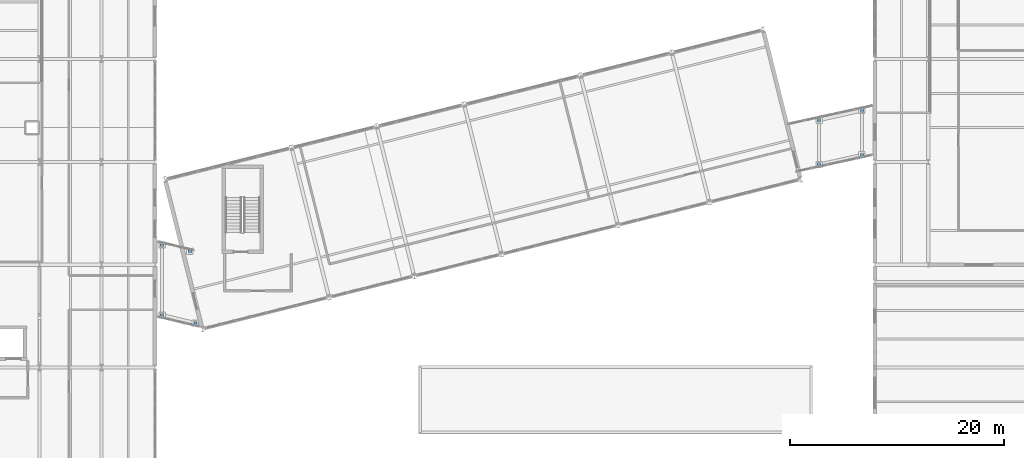
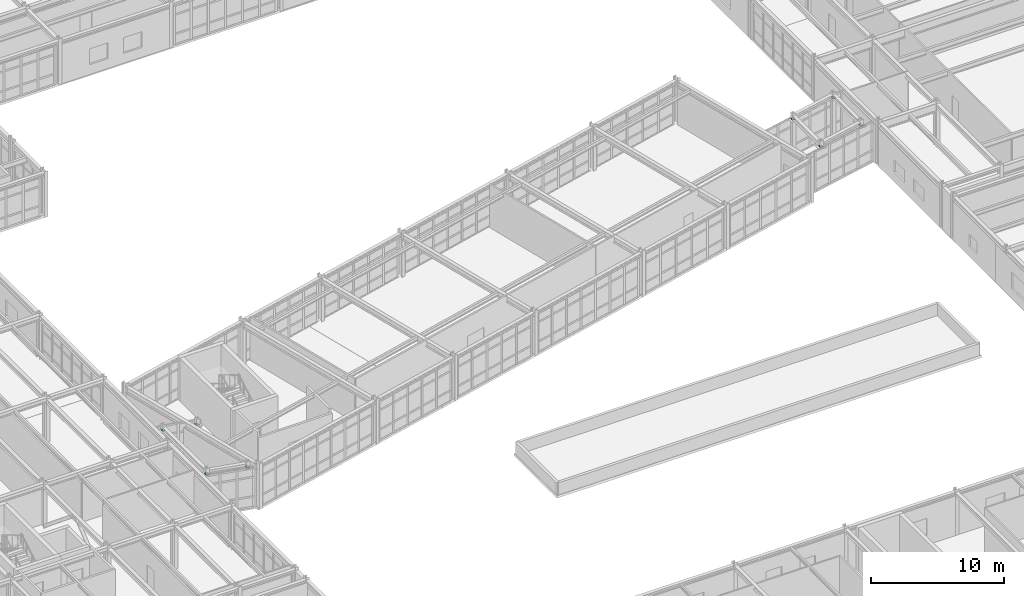
# One storey, part 91 of 99: 8 discrete accessories.
"""IFC4 building model written with IfcOpenShell, lengths in metres."""

from ifc_helpers import new_model, si_unit, direction, frame, origin, origin_2d, place, context, subcontext, project, spatial, rectangle, extrude, material, layer, layer_set, type_object, element, save


model = new_model("IFC4")

# Units and contexts
model_context = context("Model", 3, precision=1e-05, world=origin(), true_north=direction((0.0, 1.0)))
body_context = subcontext(model_context, "Body", "Model", "MODEL_VIEW")
ifc_project = project(units=[si_unit("LENGTHUNIT", "METRE"), si_unit("AREAUNIT", "SQUARE_METRE"), si_unit("VOLUMEUNIT", "CUBIC_METRE"), si_unit("PLANEANGLEUNIT", "RADIAN"), si_unit("MASSUNIT", "GRAM", prefix="KILO")], contexts=[model_context])

# Site, building, storey
site_placement = place(None, origin())
site = spatial("IfcSite", under=ifc_project, at=site_placement, CompositionType="ELEMENT")
building_placement = place(site_placement, origin())
building = spatial("IfcBuilding", under=site, at=building_placement, Name="Nordkorset Police Headquarters", CompositionType="ELEMENT")
storey_placement = place(building_placement, frame((0.0, 0.0, 5.25)))
storey = spatial("IfcBuildingStorey", under=building, at=storey_placement, Name="L01", CompositionType="ELEMENT", Elevation=5.25)

# Discrete accessories
ifc_material = material(Name="Steel S355J2", Category="steel")
ifc_layer = layer(ifc_material, 0.0400390625, Name="Steel S355J2")
ifc_layer_set = layer_set([ifc_layer], Name="Steel S355J2")
discrete_accessory_type = type_object("IfcDiscreteAccessoryType", Name="PTFE_Sliding_Bearing", PredefinedType="USERDEFINED", material=ifc_layer_set)
for number, where, z_axis, x_axis, name in (
    (1, (19.85009765625, 43.300048828125, 3.611083984375), (0.0, 0.0, 1.0), (1.0, 0.0, 0.0), "Unguided PTFE Sliding Bridge Bearing BRG-W L01"),
    (2, (22.949951171875, 42.550048828125, 3.611083984375), (0.0, 0.0, 1.0), (1.0, 0.0, 0.0), "Unguided PTFE Sliding Bridge Bearing BRG-W L01"),
    (3, (19.85009765625, 49.85009765625, 3.611083984375), (0.0, 0.0, 1.0), (1.0, 0.0, 0.0), "Unguided PTFE Sliding Bridge Bearing BRG-W L01"),
    (4, (22.449951171875, 49.25, 3.611083984375), (0.0, 0.0, 1.0), (1.0, 0.0, 0.0), "Unguided PTFE Sliding Bridge Bearing BRG-W L01"),
    (5, (81.199951171875, 57.35009765625, 3.611083984375), (0.0, 0.0, 1.0), (1.0, 0.0, 0.0), "Unguided PTFE Sliding Bridge Bearing BRG-E L01"),
    (6, (85.199951171875, 58.25, 3.611083984375), (0.0, 0.0, 1.0), (1.0, 0.0, 0.0), "Unguided PTFE Sliding Bridge Bearing BRG-E L01"),
    (7, (81.199951171875, 61.5, 3.611083984375), (0.0, 0.0, 1.0), (1.0, 0.0, 0.0), "Unguided PTFE Sliding Bridge Bearing BRG-E L01"),
    (8, (85.199951171875, 62.39990234375, 3.611083984375), (0.0, 0.0, 1.0), (1.0, 0.0, 0.0), "Unguided PTFE Sliding Bridge Bearing BRG-E L01"),
):
    element("IfcDiscreteAccessory", number, at=place(storey_placement, frame(where, z_axis=z_axis, x_axis=x_axis)), inside=storey, type_object=discrete_accessory_type, Name=name, ObjectType="SLIDING BEARING", PredefinedType="USERDEFINED", context=body_context, shape_type="SweptSolid", body=[
        extrude(rectangle(XDim=0.280029296875, YDim=0.280029296875, at=origin_2d()), origin(), (0.0, 0.0, 1.0), 0.0400390625),
    ])

save(model, "model.ifc")
